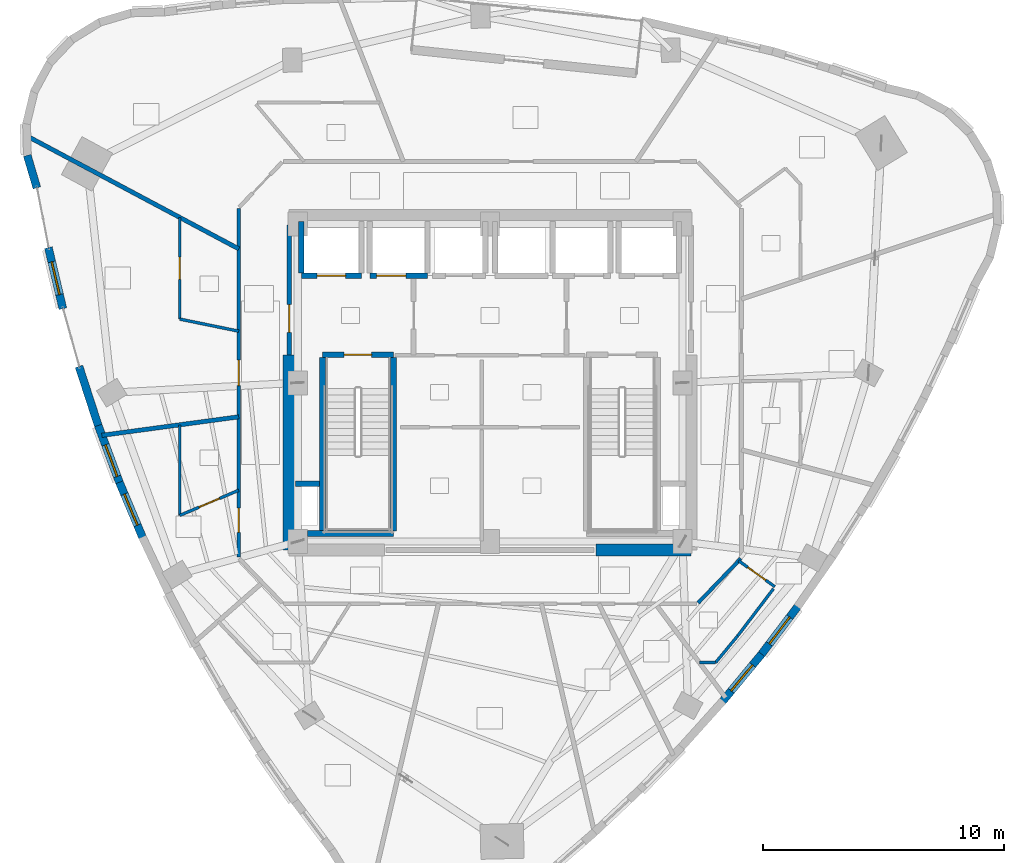
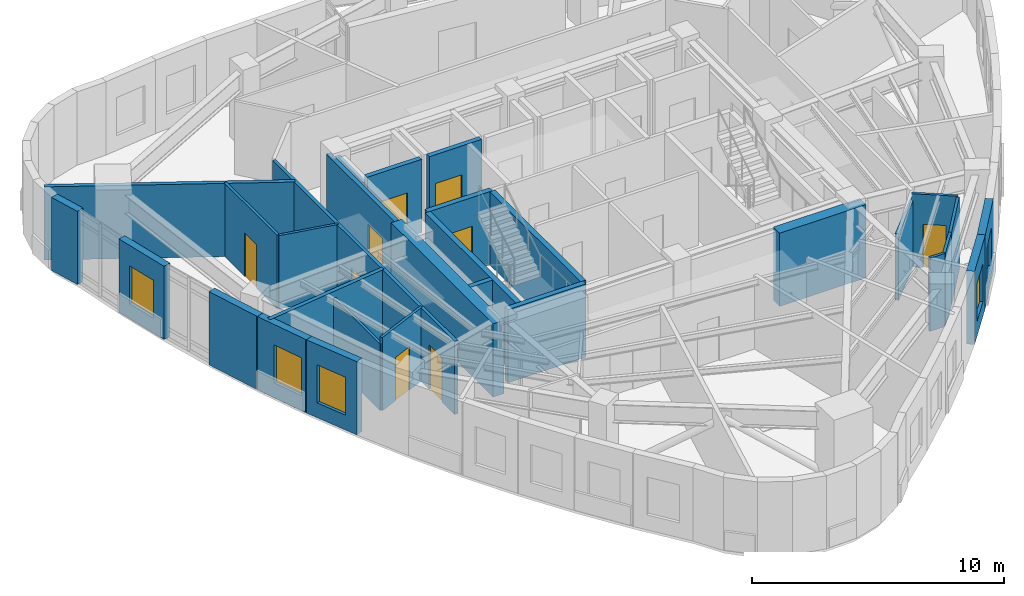
# One storey, part 10 of 16: 30 walls, 9 doors, 5 windows, 14 openings.
"""IFC4 building model written with IfcOpenShell, lengths in metres."""

from ifc_helpers import new_model, si_unit, direction, frame, frame_2d, origin, place, context, subcontext, project, spatial, rectangle, extrude, material, layer, layer_set, type_object, element, fill, save


model = new_model("IFC4")

# Units and contexts
model_context = context("Model", 3, precision=1e-05, world=origin(), true_north=direction((0.0, 1.0)))
body_context = subcontext(model_context, "Body", "Model", "MODEL_VIEW")
ifc_project = project(units=[si_unit("LENGTHUNIT", "METRE"), si_unit("AREAUNIT", "SQUARE_METRE"), si_unit("VOLUMEUNIT", "CUBIC_METRE"), si_unit("PLANEANGLEUNIT", "RADIAN"), si_unit("MASSUNIT", "GRAM", prefix="KILO")], contexts=[model_context])

# Site, building, storey
site_placement = place(None, origin())
site = spatial("IfcSite", under=ifc_project, at=site_placement, CompositionType="ELEMENT")
building_placement = place(site_placement, origin())
building = spatial("IfcBuilding", under=site, at=building_placement, Name="Ndelora Gate Hotel", CompositionType="ELEMENT")
storey_placement = place(building_placement, frame((0.0, 0.0, 182.75)))
storey = spatial("IfcBuildingStorey", under=building, at=storey_placement, Name="L45", CompositionType="ELEMENT", Elevation=182.75)

# Walls
ifc_material_1 = material(Name="Acoustic Double-Stud Gypsum Assembly", Category="gypsum")
ifc_layer_1 = layer(ifc_material_1, 0.179931640625)
ifc_layer_set_1 = layer_set([ifc_layer_1], Name="Acoustic Double-Stud Gypsum Assembly")
wall_type_1 = type_object("IfcWallType", Name="WL-ACOUST-180", PredefinedType="PARTITIONING", material=ifc_layer_set_1)
wall_1_placement = place(storey_placement, frame((-10.449951171875, 5.56884765625, 0.0), z_axis=(0.0, 0.0, 1.0), x_axis=(-0.882520823544, 0.47027332054, 0.0)))
element("IfcWall", 1, at=wall_1_placement, inside=storey, type_object=wall_type_1, Name="L45 Interior Wall IW-3", PredefinedType="PARTITIONING", context=body_context, shape_type="SweptSolid", body=[
    extrude(rectangle(XDim=9.97998046875, YDim=0.179931640625, at=frame_2d((4.989990234375, 0.0))), origin(), (0.0, 0.0, 1.0), 3.550048828125),
])
wall_2_placement = place(storey_placement, frame((-10.449951171875, -1.41455078125, 0.0), z_axis=(0.0, 0.0, 1.0), x_axis=(-0.990963730959, -0.13413010074, 0.0)))
element("IfcWall", 2, at=wall_2_placement, inside=storey, type_object=wall_type_1, Name="L45 Interior Wall IW-3", PredefinedType="PARTITIONING", context=body_context, shape_type="SweptSolid", body=[
    extrude(rectangle(XDim=5.74072265625, YDim=0.179931640625, at=frame_2d((2.870361328125, 0.0))), origin(), (0.0, 0.0, 1.0), 3.550048828125),
])
ifc_material_2 = material(Name="Clay Brick Masonry", Category="masonry")
ifc_layer_2 = layer(ifc_material_2, 0.330078125)
ifc_layer_set_2 = layer_set([ifc_layer_2], Name="Clay Brick Masonry")
wall_type_2 = type_object("IfcWallType", Name="WL-BRICK-330", PredefinedType="SOLIDWALL", material=ifc_layer_set_2)
wall_3_placement = place(storey_placement, frame((-18.843017578125, 8.10498046875, 0.0), z_axis=(0.0, 0.0, 1.0), x_axis=(-0.284100140437, 0.958794613149, 0.0)))
element("IfcWall", 3, at=wall_3_placement, inside=storey, type_object=wall_type_2, Name="L45 Tower Brick Pier-and-Spandrel Wall TWR-8", PredefinedType="SOLIDWALL", context=body_context, shape_type="SweptSolid", body=[
    extrude(rectangle(XDim=1.40771484375, YDim=0.330078125, at=frame_2d((0.703857421875, 0.0))), origin(), (0.0, 0.0, 1.0), 3.550048828125),
])

# Wall, opening, window
wall_4_placement = place(storey_placement, frame((-17.762451171875, 3.079345703125, 0.0), z_axis=(0.0, 0.0, 1.0), x_axis=(-0.230212303812, 0.973140429318, 0.0)))
wall_4 = element("IfcWall", 4, at=wall_4_placement, inside=storey, type_object=wall_type_2, Name="L45 Tower Brick Pier-and-Spandrel Wall TWR-10", PredefinedType="SOLIDWALL", context=body_context, shape_type="SweptSolid", body=[
    extrude(rectangle(XDim=2.60986328125, YDim=0.330078125, at=frame_2d((1.304931640625, 0.0))), origin(), (0.0, 0.0, 1.0), 3.550048828125),
])
opening_1_placement = place(wall_4_placement, frame((0.60498046875, 0.0, 0.719970703125)))
opening_1 = element("IfcOpeningElement", 5, at=opening_1_placement, cuts=wall_4, Name="Opening W02", PredefinedType="OPENING", context=body_context, shape_type="SweptSolid", body=[
    extrude(rectangle(XDim=1.39990234375, YDim=1.840087890625, at=frame_2d((0.699951171875, 0.919921875))), frame((0.0, 0.175048828125, 0.0), z_axis=(0.0, -1.0, 0.0), x_axis=(1.0, 0.0, 0.0)), (0.0, 0.0, 1.0), 0.35009765625),
])
ifc_material_3 = material(Name="Insulated Low-E Double Glazing in Bronze Aluminium Frame", Category="aluminium")
window_type = type_object("IfcWindowType", Name="WN-DEEP-1400", PartitioningType="SINGLE_PANEL", PredefinedType="WINDOW", material=ifc_material_3)
window_1_placement = place(opening_1_placement, origin())
window_1 = element("IfcWindow", 6, at=window_1_placement, inside=storey, type_object=window_type, Name="L45 Deep-Set Brick-Pier Window W02", OverallHeight=1.840087890625, OverallWidth=1.39990234375, PartitioningType="SINGLE_PANEL", PredefinedType="WINDOW", context=body_context, shape_type="SweptSolid", body=[
    extrude(rectangle(XDim=1.39990234375, YDim=1.840087890625, at=frame_2d((0.699951171875, 0.919921875))), frame((0.0, 0.030029296875, 0.0), z_axis=(0.0, -1.0, 0.0), x_axis=(1.0, 0.0, 0.0)), (0.0, 0.0, 1.0), 0.06005859375),
])
fill(opening_1, window_1)

# Wall
wall_5_placement = place(storey_placement, frame((-16.292724609375, -1.77392578125, 0.0), z_axis=(0.0, 0.0, 1.0), x_axis=(-0.309148141518, 0.951013894008, 0.0)))
element("IfcWall", 7, at=wall_5_placement, inside=storey, type_object=wall_type_2, Name="L45 Tower Brick Pier-and-Spandrel Wall TWR-12", PredefinedType="SOLIDWALL", context=body_context, shape_type="SweptSolid", body=[
    extrude(rectangle(XDim=2.579345703125, YDim=0.330078125, at=frame_2d((1.28955078125, 0.0))), origin(), (0.0, 0.0, 1.0), 3.550048828125),
])

# Wall, opening, window
wall_6_placement = place(storey_placement, frame((-15.4130859375, -4.135986328125, 0.0), z_axis=(0.0, 0.0, 1.0), x_axis=(-0.348582368666, 0.937278150954, 0.0)))
wall_6 = element("IfcWall", 8, at=wall_6_placement, inside=storey, type_object=wall_type_2, Name="L45 Tower Brick Pier-and-Spandrel Wall TWR-13", PredefinedType="SOLIDWALL", context=body_context, shape_type="SweptSolid", body=[
    extrude(rectangle(XDim=2.5703125, YDim=0.330078125, at=frame_2d((1.28515625, 0.0))), origin(), (0.0, 0.0, 1.0), 3.550048828125),
])
opening_2_placement = place(wall_6_placement, frame((0.260009765625, 0.0, 0.719970703125)))
opening_2 = element("IfcOpeningElement", 9, at=opening_2_placement, cuts=wall_6, Name="Opening W02", PredefinedType="OPENING", context=body_context, shape_type="SweptSolid", body=[
    extrude(rectangle(XDim=1.39990234375, YDim=1.840087890625, at=frame_2d((0.699951171875, 0.919921875))), frame((0.0, 0.175048828125, 0.0), z_axis=(0.0, -1.0, 0.0), x_axis=(1.0, 0.0, 0.0)), (0.0, 0.0, 1.0), 0.35009765625),
])
window_2_placement = place(opening_2_placement, origin())
window_2 = element("IfcWindow", 10, at=window_2_placement, inside=storey, type_object=window_type, Name="L45 Deep-Set Brick-Pier Window W02", OverallHeight=1.840087890625, OverallWidth=1.39990234375, PartitioningType="SINGLE_PANEL", PredefinedType="WINDOW", context=body_context, shape_type="SweptSolid", body=[
    extrude(rectangle(XDim=1.39990234375, YDim=1.840087890625, at=frame_2d((0.699951171875, 0.919921875))), frame((0.0, 0.030029296875, 0.0), z_axis=(0.0, -1.0, 0.0), x_axis=(1.0, 0.0, 0.0)), (0.0, 0.0, 1.0), 0.06005859375),
])
fill(opening_2, window_2)

wall_7_placement = place(storey_placement, frame((-14.437255859375, -6.455078125, 0.0), z_axis=(0.0, 0.0, 1.0), x_axis=(-0.387525243304, 0.921859092162, 0.0)))
wall_7 = element("IfcWall", 11, at=wall_7_placement, inside=storey, type_object=wall_type_2, Name="L45 Tower Brick Pier-and-Spandrel Wall TWR-14", PredefinedType="SOLIDWALL", context=body_context, shape_type="SweptSolid", body=[
    extrude(rectangle(XDim=2.56591796875, YDim=0.330078125, at=frame_2d((1.282958984375, 0.0))), origin(), (0.0, 0.0, 1.0), 3.550048828125),
])
opening_3_placement = place(wall_7_placement, frame((0.5830078125, 0.0, 0.719970703125)))
opening_3 = element("IfcOpeningElement", 12, at=opening_3_placement, cuts=wall_7, Name="Opening W02", PredefinedType="OPENING", context=body_context, shape_type="SweptSolid", body=[
    extrude(rectangle(XDim=1.39990234375, YDim=1.840087890625, at=frame_2d((0.699951171875, 0.919921875))), frame((0.0, 0.175048828125, 0.0), z_axis=(0.0, -1.0, 0.0), x_axis=(1.0, 0.0, 0.0)), (0.0, 0.0, 1.0), 0.35009765625),
])
window_3_placement = place(opening_3_placement, origin())
window_3 = element("IfcWindow", 13, at=window_3_placement, inside=storey, type_object=window_type, Name="L45 Deep-Set Brick-Pier Window W02", OverallHeight=1.840087890625, OverallWidth=1.39990234375, PartitioningType="SINGLE_PANEL", PredefinedType="WINDOW", context=body_context, shape_type="SweptSolid", body=[
    extrude(rectangle(XDim=1.39990234375, YDim=1.840087890625, at=frame_2d((0.699951171875, 0.919921875))), frame((0.0, 0.030029296875, 0.0), z_axis=(0.0, -1.0, 0.0), x_axis=(1.0, 0.0, 0.0)), (0.0, 0.0, 1.0), 0.06005859375),
])
fill(opening_3, window_3)

wall_8_placement = place(storey_placement, frame((11.28857421875, -11.280029296875, 0.0), z_axis=(0.0, 0.0, 1.0), x_axis=(-0.637443312207, -0.77049725744, 0.0)))
wall_8 = element("IfcWall", 14, at=wall_8_placement, inside=storey, type_object=wall_type_2, Name="L45 Tower Brick Pier-and-Spandrel Wall TWR-33", PredefinedType="SOLIDWALL", context=body_context, shape_type="SweptSolid", body=[
    extrude(rectangle(XDim=2.57080078125, YDim=0.330078125, at=frame_2d((1.285400390625, 0.0))), origin(), (0.0, 0.0, 1.0), 3.550048828125),
])
opening_4_placement = place(wall_8_placement, frame((0.585205078125, 0.0, 0.719970703125)))
opening_4 = element("IfcOpeningElement", 15, at=opening_4_placement, cuts=wall_8, Name="Opening W02", PredefinedType="OPENING", context=body_context, shape_type="SweptSolid", body=[
    extrude(rectangle(XDim=1.39990234375, YDim=1.840087890625, at=frame_2d((0.699951171875, 0.919921875))), frame((0.0, 0.175048828125, 0.0), z_axis=(0.0, -1.0, 0.0), x_axis=(1.0, 0.0, 0.0)), (0.0, 0.0, 1.0), 0.35009765625),
])
window_4_placement = place(opening_4_placement, origin())
window_4 = element("IfcWindow", 16, at=window_4_placement, inside=storey, type_object=window_type, Name="L45 Deep-Set Brick-Pier Window W02", OverallHeight=1.840087890625, OverallWidth=1.39990234375, PartitioningType="SINGLE_PANEL", PredefinedType="WINDOW", context=body_context, shape_type="SweptSolid", body=[
    extrude(rectangle(XDim=1.39990234375, YDim=1.840087890625, at=frame_2d((0.699951171875, 0.919921875))), frame((0.0, 0.030029296875, 0.0), z_axis=(0.0, -1.0, 0.0), x_axis=(1.0, 0.0, 0.0)), (0.0, 0.0, 1.0), 0.06005859375),
])
fill(opening_4, window_4)

wall_9_placement = place(storey_placement, frame((12.80908203125, -9.275390625, 0.0), z_axis=(0.0, 0.0, 1.0), x_axis=(-0.604617593392, -0.796515891719, 0.0)))
wall_9 = element("IfcWall", 17, at=wall_9_placement, inside=storey, type_object=wall_type_2, Name="L45 Tower Brick Pier-and-Spandrel Wall TWR-34", PredefinedType="SOLIDWALL", context=body_context, shape_type="SweptSolid", body=[
    extrude(rectangle(XDim=2.566162109375, YDim=0.330078125, at=frame_2d((1.283203125, 0.0))), origin(), (0.0, 0.0, 1.0), 3.550048828125),
])
opening_5_placement = place(wall_9_placement, frame((0.5830078125, 0.0, 0.719970703125)))
opening_5 = element("IfcOpeningElement", 18, at=opening_5_placement, cuts=wall_9, Name="Opening W02", PredefinedType="OPENING", context=body_context, shape_type="SweptSolid", body=[
    extrude(rectangle(XDim=1.39990234375, YDim=1.840087890625, at=frame_2d((0.699951171875, 0.919921875))), frame((0.0, 0.175048828125, 0.0), z_axis=(0.0, -1.0, 0.0), x_axis=(1.0, 0.0, 0.0)), (0.0, 0.0, 1.0), 0.35009765625),
])
window_5_placement = place(opening_5_placement, origin())
window_5 = element("IfcWindow", 19, at=window_5_placement, inside=storey, type_object=window_type, Name="L45 Deep-Set Brick-Pier Window W02", OverallHeight=1.840087890625, OverallWidth=1.39990234375, PartitioningType="SINGLE_PANEL", PredefinedType="WINDOW", context=body_context, shape_type="SweptSolid", body=[
    extrude(rectangle(XDim=1.39990234375, YDim=1.840087890625, at=frame_2d((0.699951171875, 0.919921875))), frame((0.0, 0.030029296875, 0.0), z_axis=(0.0, -1.0, 0.0), x_axis=(1.0, 0.0, 0.0)), (0.0, 0.0, 1.0), 0.06005859375),
])
fill(opening_5, window_5)

# Walls
ifc_material_4 = material(Name="Concrete C50/60", Category="concrete")
ifc_layer_3 = layer(ifc_material_4, 0.5)
ifc_layer_set_3 = layer_set([ifc_layer_3], Name="Concrete C50/60")
wall_type_3 = type_object("IfcWallType", Name="WL-CORE-500", PredefinedType="SHEAR", material=ifc_layer_set_3)
wall_10_placement = place(storey_placement, frame((4.39990234375, -6.949951171875, 0.0), z_axis=(0.0, 0.0, 1.0), x_axis=(1.0, 0.0, 0.0)))
element("IfcWall", 20, at=wall_10_placement, inside=storey, type_object=wall_type_3, Name="L45 Core Shear Wall S-E", PredefinedType="SHEAR", context=body_context, shape_type="SweptSolid", body=[
    extrude(rectangle(XDim=3.9501953125, YDim=0.5, at=frame_2d((1.97509765625, 0.0))), origin(), (0.0, 0.0, 1.0), 3.550048828125),
])
wall_11_placement = place(storey_placement, frame((-8.35009765625, -6.949951171875, 0.0), z_axis=(0.0, 0.0, 1.0), x_axis=(0.0, 1.0, 0.0)))
element("IfcWall", 21, at=wall_11_placement, inside=storey, type_object=wall_type_3, Name="L45 Core Shear Wall W", PredefinedType="SHEAR", context=body_context, shape_type="SweptSolid", body=[
    extrude(rectangle(XDim=8.099853515625, YDim=0.5, at=frame_2d((4.0498046875, 0.0))), origin(), (0.0, 0.0, 1.0), 3.550048828125),
])

# Wall, opening, door
ifc_material_5 = material(Name="Concrete C40/50", Category="concrete")
ifc_layer_4 = layer(ifc_material_5, 0.199951171875)
ifc_layer_set_4 = layer_set([ifc_layer_4], Name="Concrete C40/50")
wall_type_4 = type_object("IfcWallType", Name="WL-FIRE-200", PredefinedType="PARTITIONING", material=ifc_layer_set_4)
wall_12_placement = place(storey_placement, frame((-8.35009765625, 1.14990234375, 0.0), z_axis=(0.0, 0.0, 1.0), x_axis=(0.0, 1.0, 0.0)))
wall_12 = element("IfcWall", 22, at=wall_12_placement, inside=storey, type_object=wall_type_4, Name="L45 Interior Wall IW-2", PredefinedType="PARTITIONING", context=body_context, shape_type="SweptSolid", body=[
    extrude(rectangle(XDim=5.400146484375, YDim=0.199951171875, at=frame_2d((2.7001953125, 0.0))), origin(), (0.0, 0.0, 1.0), 3.550048828125),
])
opening_6_placement = place(wall_12_placement, frame((0.949951171875, 0.0, 0.0)))
opening_6 = element("IfcOpeningElement", 23, at=opening_6_placement, cuts=wall_12, Name="Opening FD1", PredefinedType="OPENING", context=body_context, shape_type="SweptSolid", body=[
    extrude(rectangle(XDim=1.14990234375, YDim=2.14990234375, at=frame_2d((0.574951171875, 1.074951171875))), frame((0.0, 0.10986328125, 0.0), z_axis=(0.0, -1.0, 0.0), x_axis=(1.0, 0.0, 0.0)), (0.0, 0.0, 1.0), 0.219970703125),
])
ifc_material_6 = material(Name="Fire-Rated Timber-Veneer Steel Core", Category="steel")
door_type_1 = type_object("IfcDoorType", Name="DR-FD60", OperationType="SINGLE_SWING_LEFT", PredefinedType="DOOR", material=ifc_material_6)
door_1_placement = place(opening_6_placement, origin())
door_1 = element("IfcDoor", 24, at=door_1_placement, inside=storey, type_object=door_type_1, Name="L45 Firefighting Lobby West Corridor Door", OperationType="SINGLE_SWING_LEFT", OverallHeight=2.14990234375, OverallWidth=1.14990234375, PredefinedType="DOOR", context=body_context, shape_type="SweptSolid", body=[
    extrude(rectangle(XDim=1.14990234375, YDim=2.14990234375, at=frame_2d((0.574951171875, 1.074951171875))), frame((0.0, 0.02490234375, 0.0), z_axis=(0.0, -1.0, 0.0), x_axis=(1.0, 0.0, 0.0)), (0.0, 0.0, 1.0), 0.050048828125),
])
fill(opening_6, door_1)

# Wall
ifc_material_7 = material(Name="Fire-Rated Gypsum Stud Partition", Category="gypsum")
ifc_layer_5 = layer(ifc_material_7, 0.14990234375)
ifc_layer_set_5 = layer_set([ifc_layer_5], Name="Fire-Rated Gypsum Stud Partition")
wall_type_5 = type_object("IfcWallType", Name="WL-PART-150", PredefinedType="PARTITIONING", material=ifc_layer_set_5)
wall_13_placement = place(storey_placement, frame((10.42236328125, -7.308837890625, 0.0), z_axis=(0.0, 0.0, 1.0), x_axis=(-0.693764562202, -0.720201869085, 0.0)))
element("IfcWall", 25, at=wall_13_placement, inside=storey, type_object=wall_type_5, Name="L45 Interior Wall IW-5", PredefinedType="PARTITIONING", context=body_context, shape_type="SweptSolid", body=[
    extrude(rectangle(XDim=2.55810546875, YDim=0.14990234375, at=frame_2d((1.279052734375, 0.0))), origin(), (0.0, 0.0, 1.0), 3.22998046875),
])

# Wall, openings, doors
wall_14_placement = place(storey_placement, frame((-10.449951171875, -7.239990234375, 0.0), z_axis=(0.0, 0.0, 1.0), x_axis=(0.0, 1.0, 0.0)))
wall_14 = element("IfcWall", 26, at=wall_14_placement, inside=storey, type_object=wall_type_5, Name="L45 Interior Wall IW-5", PredefinedType="PARTITIONING", context=body_context, shape_type="SweptSolid", body=[
    extrude(rectangle(XDim=14.47998046875, YDim=0.14990234375, at=frame_2d((7.239990234375, 0.0))), origin(), (0.0, 0.0, 1.0), 3.550048828125),
])
opening_7_placement = place(wall_14_placement, frame((1.026123046875, 0.0, 0.0)))
opening_7 = element("IfcOpeningElement", 27, at=opening_7_placement, cuts=wall_14, Name="Opening D01", PredefinedType="OPENING", context=body_context, shape_type="SweptSolid", body=[
    extrude(rectangle(XDim=1.0, YDim=2.14990234375, at=frame_2d((0.5, 1.074951171875))), frame((0.0, 0.0849609375, 0.0), z_axis=(0.0, -1.0, 0.0), x_axis=(1.0, 0.0, 0.0)), (0.0, 0.0, 1.0), 0.169921875),
])
opening_8_placement = place(wall_14_placement, frame((7.1259765625, 0.0, 0.0)))
opening_8 = element("IfcOpeningElement", 28, at=opening_8_placement, cuts=wall_14, Name="Opening D07", PredefinedType="OPENING", context=body_context, shape_type="SweptSolid", body=[
    extrude(rectangle(XDim=1.06005859375, YDim=2.14990234375, at=frame_2d((0.530029296875, 1.074951171875))), frame((0.0, 0.0849609375, 0.0), z_axis=(0.0, -1.0, 0.0), x_axis=(1.0, 0.0, 0.0)), (0.0, 0.0, 1.0), 0.169921875),
])
ifc_material_8 = material(Name="Acoustic Hardwood Guest Entrance Door", Category="wood")
door_type_2 = type_object("IfcDoorType", Name="DR-COR-1000", OperationType="SINGLE_SWING_LEFT", PredefinedType="DOOR", material=ifc_material_8)
door_2_placement = place(opening_7_placement, origin())
door_2 = element("IfcDoor", 29, at=door_2_placement, inside=storey, type_object=door_type_2, Name="L45 Altitude Deluxe Guest Room 4806 Entrance Door", OperationType="SINGLE_SWING_LEFT", OverallHeight=2.14990234375, OverallWidth=1.0, PredefinedType="DOOR", context=body_context, shape_type="SweptSolid", body=[
    extrude(rectangle(XDim=1.0, YDim=2.14990234375, at=frame_2d((0.5, 1.074951171875))), frame((0.0, 0.02490234375, 0.0), z_axis=(0.0, -1.0, 0.0), x_axis=(1.0, 0.0, 0.0)), (0.0, 0.0, 1.0), 0.050048828125),
])
fill(opening_7, door_2)
ifc_material_9 = material(Name="Diplomatic Suite Acoustic Entrance Door", Category="wood")
door_type_3 = type_object("IfcDoorType", Name="DR-SUITE-1060", OperationType="SINGLE_SWING_LEFT", PredefinedType="DOOR", material=ifc_material_9)
door_3_placement = place(opening_8_placement, origin())
door_3 = element("IfcDoor", 30, at=door_3_placement, inside=storey, type_object=door_type_3, Name="L45 Altitude Twin Suite 4805 Entrance Door", OperationType="SINGLE_SWING_LEFT", OverallHeight=2.14990234375, OverallWidth=1.06005859375, PredefinedType="DOOR", context=body_context, shape_type="SweptSolid", body=[
    extrude(rectangle(XDim=1.06005859375, YDim=2.14990234375, at=frame_2d((0.530029296875, 1.074951171875))), frame((0.0, 0.02490234375, 0.0), z_axis=(0.0, -1.0, 0.0), x_axis=(1.0, 0.0, 0.0)), (0.0, 0.0, 1.0), 0.050048828125),
])
fill(opening_8, door_3)

# Wall
ifc_layer_6 = layer(ifc_material_5, 0.219970703125)
ifc_layer_set_6 = layer_set([ifc_layer_6], Name="Concrete C40/50")
wall_type_6 = type_object("IfcWallType", Name="WL-SHAFT-220", PredefinedType="PARTITIONING", material=ifc_layer_set_6)
wall_15_placement = place(storey_placement, frame((-8.10009765625, -4.199951171875, 0.0), z_axis=(0.0, 0.0, 1.0), x_axis=(1.0, 0.0, 0.0)))
element("IfcWall", 31, at=wall_15_placement, inside=storey, type_object=wall_type_6, Name="L45 Interior Wall IW-1", PredefinedType="PARTITIONING", context=body_context, shape_type="SweptSolid", body=[
    extrude(rectangle(XDim=1.010009765625, YDim=0.219970703125, at=frame_2d((0.5048828125, 0.0))), origin(), (0.0, 0.0, 1.0), 3.550048828125),
])

# Wall, opening, door
wall_16_placement = place(storey_placement, frame((-7.85009765625, 4.449951171875, 0.0), z_axis=(0.0, 0.0, 1.0), x_axis=(1.0, 0.0, 0.0)))
wall_16 = element("IfcWall", 32, at=wall_16_placement, inside=storey, type_object=wall_type_6, Name="L45 Interior Wall IW-1", PredefinedType="PARTITIONING", context=body_context, shape_type="SweptSolid", body=[
    extrude(rectangle(XDim=2.5, YDim=0.219970703125, at=frame_2d((1.25, 0.0))), origin(), (0.0, 0.0, 1.0), 3.550048828125),
])
opening_9_placement = place(wall_16_placement, frame((0.659912109375, 0.0, 0.0)))
opening_9 = element("IfcOpeningElement", 33, at=opening_9_placement, cuts=wall_16, Name="Opening LD5", PredefinedType="OPENING", context=body_context, shape_type="SweptSolid", body=[
    extrude(rectangle(XDim=1.179931640625, YDim=2.14990234375, at=frame_2d((0.58984375, 1.074951171875))), frame((0.0, 0.1201171875, 0.0), z_axis=(0.0, -1.0, 0.0), x_axis=(1.0, 0.0, 0.0)), (0.0, 0.0, 1.0), 0.239990234375),
])
ifc_material_10 = material(Name="Firefighting Lift Stainless Sliding Landing Door", Category="metal")
door_type_4 = type_object("IfcDoorType", Name="DR-LD5", OperationType="DOUBLE_DOOR_SLIDING", PredefinedType="DOOR", material=ifc_material_10)
door_4_placement = place(opening_9_placement, origin())
door_4 = element("IfcDoor", 34, at=door_4_placement, inside=storey, type_object=door_type_4, Name="L45 Lift Landing Sliding Door FFL1", OperationType="DOUBLE_DOOR_SLIDING", OverallHeight=2.14990234375, OverallWidth=1.179931640625, PredefinedType="DOOR", context=body_context, shape_type="SweptSolid", body=[
    extrude(rectangle(XDim=1.179931640625, YDim=2.14990234375, at=frame_2d((0.58984375, 1.074951171875))), frame((0.0, 0.02490234375, 0.0), z_axis=(0.0, -1.0, 0.0), x_axis=(1.0, 0.0, 0.0)), (0.0, 0.0, 1.0), 0.050048828125),
])
fill(opening_9, door_4)

# Wall
wall_17_placement = place(storey_placement, frame((-7.85009765625, 4.570068359375, 0.0), z_axis=(0.0, 0.0, 1.0), x_axis=(0.0, 1.0, 0.0)))
element("IfcWall", 35, at=wall_17_placement, inside=storey, type_object=wall_type_6, Name="L45 Interior Wall IW-1", PredefinedType="PARTITIONING", context=body_context, shape_type="SweptSolid", body=[
    extrude(rectangle(XDim=2.1298828125, YDim=0.219970703125, at=frame_2d((1.06494140625, 0.0))), origin(), (0.0, 0.0, 1.0), 3.179931640625),
])

# Wall, opening, door
wall_18_placement = place(storey_placement, frame((-5.0, 4.449951171875, 0.0), z_axis=(0.0, 0.0, 1.0), x_axis=(1.0, 0.0, 0.0)))
wall_18 = element("IfcWall", 36, at=wall_18_placement, inside=storey, type_object=wall_type_6, Name="L45 Interior Wall IW-1", PredefinedType="PARTITIONING", context=body_context, shape_type="SweptSolid", body=[
    extrude(rectangle(XDim=2.39990234375, YDim=0.219970703125, at=frame_2d((1.199951171875, 0.0))), origin(), (0.0, 0.0, 1.0), 3.550048828125),
])
opening_10_placement = place(wall_18_placement, frame((0.280029296875, 0.0, 0.0)))
opening_10 = element("IfcOpeningElement", 37, at=opening_10_placement, cuts=wall_18, Name="Opening LD6", PredefinedType="OPENING", context=body_context, shape_type="SweptSolid", body=[
    extrude(rectangle(XDim=1.219970703125, YDim=2.14990234375, at=frame_2d((0.60986328125, 1.074951171875))), frame((0.0, 0.1201171875, 0.0), z_axis=(0.0, -1.0, 0.0), x_axis=(1.0, 0.0, 0.0)), (0.0, 0.0, 1.0), 0.239990234375),
])
ifc_material_11 = material(Name="Heavy-Duty Service Lift Sliding Landing Door", Category="wood")
door_type_5 = type_object("IfcDoorType", Name="DR-LD6", OperationType="DOUBLE_DOOR_SLIDING", PredefinedType="DOOR", material=ifc_material_11)
door_5_placement = place(opening_10_placement, origin())
door_5 = element("IfcDoor", 38, at=door_5_placement, inside=storey, type_object=door_type_5, Name="L45 Lift Landing Sliding Door SVL1", OperationType="DOUBLE_DOOR_SLIDING", OverallHeight=2.14990234375, OverallWidth=1.219970703125, PredefinedType="DOOR", context=body_context, shape_type="SweptSolid", body=[
    extrude(rectangle(XDim=1.219970703125, YDim=2.14990234375, at=frame_2d((0.60986328125, 1.074951171875))), frame((0.0, 0.02490234375, 0.0), z_axis=(0.0, -1.0, 0.0), x_axis=(1.0, 0.0, 0.0)), (0.0, 0.0, 1.0), 0.050048828125),
])
fill(opening_10, door_5)

# Walls
ifc_layer_7 = layer(ifc_material_4, 0.239990234375)
ifc_layer_set_7 = layer_set([ifc_layer_7], Name="Concrete C50/60")
wall_type_7 = type_object("IfcWallType", Name="WL-STAIR-240", PredefinedType="SHEAR", material=ifc_layer_set_7)
wall_19_placement = place(storey_placement, frame((-6.969970703125, -6.159912109375, 0.0), z_axis=(0.0, 0.0, 1.0), x_axis=(0.0, 1.0, 0.0)))
element("IfcWall", 39, at=wall_19_placement, inside=storey, type_object=wall_type_7, Name="L45 Stair Core Shear Wall SW-ST", PredefinedType="SHEAR", context=body_context, shape_type="SweptSolid", body=[
    extrude(rectangle(XDim=7.219970703125, YDim=0.239990234375, at=frame_2d((3.60986328125, 0.0))), origin(), (0.0, 0.0, 1.0), 3.550048828125),
])
wall_20_placement = place(storey_placement, frame((-7.60009765625, -6.27001953125, 0.0), z_axis=(0.0, 0.0, 1.0), x_axis=(1.0, 0.0, 0.0)))
element("IfcWall", 40, at=wall_20_placement, inside=storey, type_object=wall_type_7, Name="L45 Stair Core Shear Wall SW-ST", PredefinedType="SHEAR", context=body_context, shape_type="SweptSolid", body=[
    extrude(rectangle(XDim=3.590087890625, YDim=0.239990234375, at=frame_2d((1.794921875, 0.0))), origin(), (0.0, 0.0, 1.0), 3.550048828125),
])
wall_21_placement = place(storey_placement, frame((-4.010009765625, -6.159912109375, 0.0), z_axis=(0.0, 0.0, 1.0), x_axis=(0.0, 1.0, 0.0)))
element("IfcWall", 41, at=wall_21_placement, inside=storey, type_object=wall_type_7, Name="L45 Stair Core Shear Wall SW-ST", PredefinedType="SHEAR", context=body_context, shape_type="SweptSolid", body=[
    extrude(rectangle(XDim=7.219970703125, YDim=0.239990234375, at=frame_2d((3.60986328125, 0.0))), origin(), (0.0, 0.0, 1.0), 3.550048828125),
])

# Wall, opening, door
wall_22_placement = place(storey_placement, frame((-6.969970703125, 1.169921875, 0.0), z_axis=(0.0, 0.0, 1.0), x_axis=(1.0, 0.0, 0.0)))
wall_22 = element("IfcWall", 42, at=wall_22_placement, inside=storey, type_object=wall_type_7, Name="L45 Stair Core Shear Wall SW-ST", PredefinedType="SHEAR", context=body_context, shape_type="SweptSolid", body=[
    extrude(rectangle(XDim=2.9599609375, YDim=0.239990234375, at=frame_2d((1.47998046875, 0.0))), origin(), (0.0, 0.0, 1.0), 3.550048828125),
])
opening_11_placement = place(wall_22_placement, frame((0.89990234375, 0.0, 0.0)))
opening_11 = element("IfcOpeningElement", 43, at=opening_11_placement, cuts=wall_22, Name="Opening FD1", PredefinedType="OPENING", context=body_context, shape_type="SweptSolid", body=[
    extrude(rectangle(XDim=1.14990234375, YDim=2.14990234375, at=frame_2d((0.574951171875, 1.074951171875))), frame((0.0, 0.1298828125, 0.0), z_axis=(0.0, -1.0, 0.0), x_axis=(1.0, 0.0, 0.0)), (0.0, 0.0, 1.0), 0.260009765625),
])
door_6_placement = place(opening_11_placement, origin())
door_6 = element("IfcDoor", 44, at=door_6_placement, inside=storey, type_object=door_type_1, Name="L45 Exit Stair ST4 Door", OperationType="SINGLE_SWING_LEFT", OverallHeight=2.14990234375, OverallWidth=1.14990234375, PredefinedType="DOOR", context=body_context, shape_type="SweptSolid", body=[
    extrude(rectangle(XDim=1.14990234375, YDim=2.14990234375, at=frame_2d((0.574951171875, 1.074951171875))), frame((0.0, 0.02490234375, 0.0), z_axis=(0.0, -1.0, 0.0), x_axis=(1.0, 0.0, 0.0)), (0.0, 0.0, 1.0), 0.050048828125),
])
fill(opening_11, door_6)

ifc_material_12 = material(Name="Moisture-Resistant Bathroom Tile Partition", Category="gypsum")
ifc_layer_8 = layer(ifc_material_12, 0.1201171875)
ifc_layer_set_8 = layer_set([ifc_layer_8], Name="Moisture-Resistant Bathroom Tile Partition")
wall_type_8 = type_object("IfcWallType", Name="WL-WET-120", PredefinedType="PARTITIONING", material=ifc_layer_set_8)
wall_23_placement = place(storey_placement, frame((10.3349609375, -7.3994140625, 0.0), z_axis=(0.0, 0.0, 1.0), x_axis=(0.813020012063, -0.582235742621, 0.0)))
wall_23 = element("IfcWall", 45, at=wall_23_placement, inside=storey, type_object=wall_type_8, Name="L45 Interior Wall IW-7", PredefinedType="PARTITIONING", context=body_context, shape_type="SweptSolid", body=[
    extrude(rectangle(XDim=1.851318359375, YDim=0.1201171875, at=frame_2d((0.92578125, 0.0))), origin(), (0.0, 0.0, 1.0), 3.550048828125),
])
opening_12_placement = place(wall_23_placement, frame((0.4658203125, 0.0, 0.0)))
opening_12 = element("IfcOpeningElement", 46, at=opening_12_placement, cuts=wall_23, Name="Opening D03", PredefinedType="OPENING", context=body_context, shape_type="SweptSolid", body=[
    extrude(rectangle(XDim=0.919921875, YDim=2.10009765625, at=frame_2d((0.4599609375, 1.050048828125))), frame((0.0, 0.070068359375, 0.0), z_axis=(0.0, -1.0, 0.0), x_axis=(1.0, 0.0, 0.0)), (0.0, 0.0, 1.0), 0.14013671875),
])
ifc_material_13 = material(Name="Moisture-Resistant Hardwood En-Suite Door", Category="wood")
door_type_6 = type_object("IfcDoorType", Name="DR-BATH-920", OperationType="SINGLE_SWING_LEFT", PredefinedType="DOOR", material=ifc_material_13)
door_7_placement = place(opening_12_placement, origin())
door_7 = element("IfcDoor", 47, at=door_7_placement, inside=storey, type_object=door_type_6, Name="L45 En-suite Bathroom 4801 Door", OperationType="SINGLE_SWING_RIGHT", OverallHeight=2.10009765625, OverallWidth=0.919921875, PredefinedType="DOOR", context=body_context, shape_type="SweptSolid", body=[
    extrude(rectangle(XDim=0.919921875, YDim=2.10009765625, at=frame_2d((0.4599609375, 1.050048828125))), frame((0.0, 0.02490234375, 0.0), z_axis=(0.0, -1.0, 0.0), x_axis=(1.0, 0.0, 0.0)), (0.0, 0.0, 1.0), 0.050048828125),
])
fill(opening_12, door_7)

# Walls
wall_24_placement = place(storey_placement, frame((10.292724609375, -10.522705078125, 0.0), z_axis=(0.0, 0.0, 1.0), x_axis=(0.604651038728, 0.796490502998, 0.0)))
element("IfcWall", 48, at=wall_24_placement, inside=storey, type_object=wall_type_8, Name="L45 Interior Wall IW-7", PredefinedType="PARTITIONING", context=body_context, shape_type="SweptSolid", body=[
    extrude(rectangle(XDim=2.4638671875, YDim=0.1201171875, at=frame_2d((1.23193359375, 0.0))), origin(), (0.0, 0.0, 1.0), 3.550048828125),
])
wall_25_placement = place(storey_placement, frame((9.376708984375, -11.6298828125, 0.0), z_axis=(0.0, 0.0, 1.0), x_axis=(0.63745644053, 0.770486396003, 0.0)))
element("IfcWall", 49, at=wall_25_placement, inside=storey, type_object=wall_type_8, Name="L45 Interior Wall IW-7", PredefinedType="PARTITIONING", context=body_context, shape_type="SweptSolid", body=[
    extrude(rectangle(XDim=1.43701171875, YDim=0.1201171875, at=frame_2d((0.718505859375, 0.0))), origin(), (0.0, 0.0, 1.0), 3.550048828125),
])
wall_26_placement = place(storey_placement, frame((8.69970703125, -11.6298828125, 0.0), z_axis=(0.0, 0.0, 1.0), x_axis=(1.0, 0.0, 0.0)))
element("IfcWall", 50, at=wall_26_placement, inside=storey, type_object=wall_type_8, Name="L45 Interior Wall IW-7", PredefinedType="PARTITIONING", context=body_context, shape_type="SweptSolid", body=[
    extrude(rectangle(XDim=0.677001953125, YDim=0.1201171875, at=frame_2d((0.33837890625, 0.0))), origin(), (0.0, 0.0, 1.0), 3.550048828125),
])
wall_27_placement = place(storey_placement, frame((-12.89990234375, 2.648681640625, 0.0), z_axis=(0.0, 0.0, 1.0), x_axis=(0.979553895705, -0.201181921181, 0.0)))
element("IfcWall", 51, at=wall_27_placement, inside=storey, type_object=wall_type_8, Name="L45 Interior Wall IW-7", PredefinedType="PARTITIONING", context=body_context, shape_type="SweptSolid", body=[
    extrude(rectangle(XDim=2.5009765625, YDim=0.1201171875, at=frame_2d((1.25048828125, 0.0))), origin(), (0.0, 0.0, 1.0), 3.550048828125),
])

# Wall, opening, door
wall_28_placement = place(storey_placement, frame((-12.89990234375, 2.648681640625, 0.0), z_axis=(0.0, 0.0, 1.0), x_axis=(0.0, 1.0, 0.0)))
wall_28 = element("IfcWall", 52, at=wall_28_placement, inside=storey, type_object=wall_type_8, Name="L45 Interior Wall IW-7", PredefinedType="PARTITIONING", context=body_context, shape_type="SweptSolid", body=[
    extrude(rectangle(XDim=4.225830078125, YDim=0.1201171875, at=frame_2d((2.11279296875, 0.0))), origin(), (0.0, 0.0, 1.0), 3.550048828125),
])
opening_13_placement = place(wall_28_placement, frame((1.65283203125, 0.0, 0.0)))
opening_13 = element("IfcOpeningElement", 53, at=opening_13_placement, cuts=wall_28, Name="Opening D03", PredefinedType="OPENING", context=body_context, shape_type="SweptSolid", body=[
    extrude(rectangle(XDim=0.919921875, YDim=2.10009765625, at=frame_2d((0.4599609375, 1.050048828125))), frame((0.0, 0.070068359375, 0.0), z_axis=(0.0, -1.0, 0.0), x_axis=(1.0, 0.0, 0.0)), (0.0, 0.0, 1.0), 0.14013671875),
])
door_8_placement = place(opening_13_placement, origin())
door_8 = element("IfcDoor", 54, at=door_8_placement, inside=storey, type_object=door_type_6, Name="L45 En-suite Bathroom 4805 Door", OperationType="SINGLE_SWING_RIGHT", OverallHeight=2.10009765625, OverallWidth=0.919921875, PredefinedType="DOOR", context=body_context, shape_type="SweptSolid", body=[
    extrude(rectangle(XDim=0.919921875, YDim=2.10009765625, at=frame_2d((0.4599609375, 1.050048828125))), frame((0.0, 0.02490234375, 0.0), z_axis=(0.0, -1.0, 0.0), x_axis=(1.0, 0.0, 0.0)), (0.0, 0.0, 1.0), 0.050048828125),
])
fill(opening_13, door_8)

wall_29_placement = place(storey_placement, frame((-10.449951171875, -4.466796875, 0.0), z_axis=(0.0, 0.0, 1.0), x_axis=(-0.919533231313, -0.39301226, 0.0)))
wall_29 = element("IfcWall", 55, at=wall_29_placement, inside=storey, type_object=wall_type_8, Name="L45 Interior Wall IW-7", PredefinedType="PARTITIONING", context=body_context, shape_type="SweptSolid", body=[
    extrude(rectangle(XDim=2.664306640625, YDim=0.1201171875, at=frame_2d((1.33203125, 0.0))), origin(), (0.0, 0.0, 1.0), 3.550048828125),
])
opening_14_placement = place(wall_29_placement, frame((0.872314453125, 0.0, 0.0)))
opening_14 = element("IfcOpeningElement", 56, at=opening_14_placement, cuts=wall_29, Name="Opening D03", PredefinedType="OPENING", context=body_context, shape_type="SweptSolid", body=[
    extrude(rectangle(XDim=0.919921875, YDim=2.10009765625, at=frame_2d((0.4599609375, 1.050048828125))), frame((0.0, 0.070068359375, 0.0), z_axis=(0.0, -1.0, 0.0), x_axis=(1.0, 0.0, 0.0)), (0.0, 0.0, 1.0), 0.14013671875),
])
door_9_placement = place(opening_14_placement, origin())
door_9 = element("IfcDoor", 57, at=door_9_placement, inside=storey, type_object=door_type_6, Name="L45 En-suite Bathroom 4806 Door", OperationType="SINGLE_SWING_LEFT", OverallHeight=2.10009765625, OverallWidth=0.919921875, PredefinedType="DOOR", context=body_context, shape_type="SweptSolid", body=[
    extrude(rectangle(XDim=0.919921875, YDim=2.10009765625, at=frame_2d((0.4599609375, 1.050048828125))), frame((0.0, 0.02490234375, 0.0), z_axis=(0.0, -1.0, 0.0), x_axis=(1.0, 0.0, 0.0)), (0.0, 0.0, 1.0), 0.050048828125),
])
fill(opening_14, door_9)

# Wall
wall_30_placement = place(storey_placement, frame((-12.89990234375, -1.74609375, 0.0), z_axis=(0.0, 0.0, 1.0), x_axis=(0.0, -1.0, 0.0)))
element("IfcWall", 58, at=wall_30_placement, inside=storey, type_object=wall_type_8, Name="L45 Interior Wall IW-7", PredefinedType="PARTITIONING", context=body_context, shape_type="SweptSolid", body=[
    extrude(rectangle(XDim=3.767822265625, YDim=0.1201171875, at=frame_2d((1.8837890625, 0.0))), origin(), (0.0, 0.0, 1.0), 3.22998046875),
])

save(model, "model.ifc")
